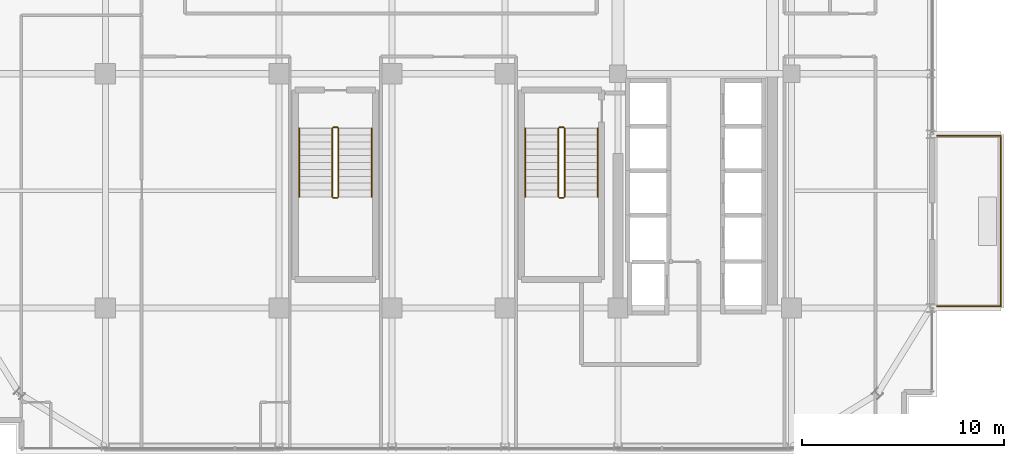
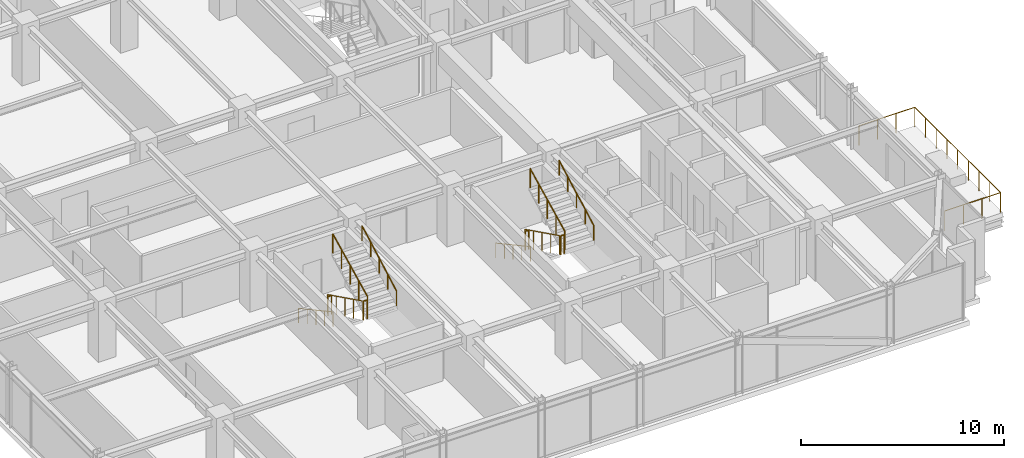
# One storey, part 34 of 36: 13 railings.
"""IFC4 building model written with IfcOpenShell, lengths in metres."""

from ifc_helpers import new_model, si_unit, direction, frame, origin, origin_2d, place, context, subcontext, project, spatial, circle, extrude, material, type_object, element, save


model = new_model("IFC4")

# Units and contexts
model_context = context("Model", 3, precision=1e-05, world=origin(), true_north=direction((0.0, 1.0)))
body_context = subcontext(model_context, "Body", "Model", "MODEL_VIEW")
ifc_project = project(units=[si_unit("LENGTHUNIT", "METRE"), si_unit("AREAUNIT", "SQUARE_METRE"), si_unit("VOLUMEUNIT", "CUBIC_METRE"), si_unit("PLANEANGLEUNIT", "RADIAN"), si_unit("MASSUNIT", "GRAM", prefix="KILO")], contexts=[model_context])

# Site, building, storey
site_placement = place(None, origin())
site = spatial("IfcSite", under=ifc_project, at=site_placement, CompositionType="ELEMENT")
building_placement = place(site_placement, origin())
building = spatial("IfcBuilding", under=site, at=building_placement, Name="Nahalor Promenade Grand Hotel", CompositionType="ELEMENT")
storey_placement = place(building_placement, frame((0.0, 0.0, 234.5)))
storey = spatial("IfcBuildingStorey", under=building, at=storey_placement, Name="L60", CompositionType="ELEMENT", Elevation=234.5)

# Railings
ifc_material_1 = material(Name="Anodised Bronze Aluminium EN AW-6063 T6", Category="aluminium")
railing_type_1 = type_object("IfcRailingType", Name="Bronze Balcony Guardrail 1200 mm", PredefinedType="GUARDRAIL", material=ifc_material_1)
railing_1_placement = place(storey_placement, frame((24.199951171875, -16.919921875, 0.0)))
element("IfcRailing", 1, at=railing_1_placement, inside=storey, type_object=railing_type_1, Name="L60 Balcony Guardrail 2", PredefinedType="GUARDRAIL", context=body_context, shape_type="SweptSolid", body=[
    extrude(circle(Radius=0.024048, at=origin_2d()), frame((0.0, 0.0, 1.17578125), z_axis=(1.0, 0.0, 0.0), x_axis=(0.0, 1.0, 0.0)), (0.0, 0.0, 1.0), 3.168212890625),
    extrude(circle(Radius=0.024048, at=origin_2d()), frame((3.170166015625, 0.001953125, 1.17578125), z_axis=(0.0, 1.0, 0.0), x_axis=(-1.0, 0.0, 0.0)), (0.0, 0.0, 1.0), 8.43603515625),
    extrude(circle(Radius=0.024048, at=origin_2d()), frame((3.168212890625, 8.43994140625, 1.17578125), z_axis=(-1.0, 0.0, 0.0), x_axis=(0.0, -1.0, 0.0)), (0.0, 0.0, 1.0), 3.168212890625),
    extrude(circle(Radius=0.020996, at=origin_2d()), origin(), (0.0, 0.0, 1.0), 1.14990234375),
    extrude(circle(Radius=0.020996, at=origin_2d()), frame((1.056640625, 0.0, 0.0)), (0.0, 0.0, 1.0), 1.14990234375),
    extrude(circle(Radius=0.020996, at=origin_2d()), frame((2.113525390625, 0.0, 0.0)), (0.0, 0.0, 1.0), 1.14990234375),
    extrude(circle(Radius=0.020996, at=origin_2d()), frame((3.170166015625, 0.0, 0.0)), (0.0, 0.0, 1.0), 1.14990234375),
    extrude(circle(Radius=0.020996, at=origin_2d()), frame((3.170166015625, 1.054931640625, 0.0)), (0.0, 0.0, 1.0), 1.14990234375),
    extrude(circle(Radius=0.020996, at=origin_2d()), frame((3.170166015625, 2.10986328125, 0.0)), (0.0, 0.0, 1.0), 1.14990234375),
    extrude(circle(Radius=0.020996, at=origin_2d()), frame((3.170166015625, 3.1650390625, 0.0)), (0.0, 0.0, 1.0), 1.14990234375),
    extrude(circle(Radius=0.020996, at=origin_2d()), frame((3.170166015625, 4.219970703125, 0.0)), (0.0, 0.0, 1.0), 1.14990234375),
    extrude(circle(Radius=0.020996, at=origin_2d()), frame((3.170166015625, 5.27490234375, 0.0)), (0.0, 0.0, 1.0), 1.14990234375),
    extrude(circle(Radius=0.020996, at=origin_2d()), frame((3.170166015625, 6.330078125, 0.0)), (0.0, 0.0, 1.0), 1.14990234375),
    extrude(circle(Radius=0.020996, at=origin_2d()), frame((3.170166015625, 7.385009765625, 0.0)), (0.0, 0.0, 1.0), 1.14990234375),
    extrude(circle(Radius=0.020996, at=origin_2d()), frame((3.170166015625, 8.43994140625, 0.0)), (0.0, 0.0, 1.0), 1.14990234375),
    extrude(circle(Radius=0.020996, at=origin_2d()), frame((2.113525390625, 8.43994140625, 0.0)), (0.0, 0.0, 1.0), 1.14990234375),
    extrude(circle(Radius=0.020996, at=origin_2d()), frame((1.056640625, 8.43994140625, 0.0)), (0.0, 0.0, 1.0), 1.14990234375),
    extrude(circle(Radius=0.020996, at=origin_2d()), frame((0.0, 8.43994140625, 0.0)), (0.0, 0.0, 1.0), 1.14990234375),
])
ifc_material_2 = material(Name="Steel S355JR", Category="steel")
railing_type_2 = type_object("IfcRailingType", Name="Steel Stair Guardrail 1150 mm", PredefinedType="GUARDRAIL", material=ifc_material_2)
railing_2_placement = place(storey_placement, frame((5.449951171875, -8.10009765625, 0.168212890625)))
element("IfcRailing", 2, at=railing_2_placement, inside=storey, type_object=railing_type_2, Name="L60 ST2 stair guard 1", PredefinedType="GUARDRAIL", context=body_context, shape_type="SweptSolid", body=[
    extrude(circle(Radius=0.024048, at=origin_2d()), frame((0.0, 0.0, 1.1259765625), z_axis=(0.0, -0.896324230515, 0.443399226197), x_axis=(1.0, 0.0, 0.0)), (0.0, 0.0, 1.0), 3.793212890625),
    extrude(circle(Radius=0.020996, at=origin_2d()), origin(), (0.0, 0.0, 1.0), 1.099853515625),
    extrude(circle(Radius=0.020996, at=origin_2d()), frame((0.0, -0.85009765625, 0.42041015625)), (0.0, 0.0, 1.0), 1.099853515625),
    extrude(circle(Radius=0.020996, at=origin_2d()), frame((0.0, -1.699951171875, 0.8408203125)), (0.0, 0.0, 1.0), 1.099853515625),
    extrude(circle(Radius=0.020996, at=origin_2d()), frame((0.0, -2.5498046875, 1.261474609375)), (0.0, 0.0, 1.0), 1.099853515625),
    extrude(circle(Radius=0.020996, at=origin_2d()), frame((0.0, -3.39990234375, 1.681884765625)), (0.0, 0.0, 1.0), 1.099853515625),
])
railing_3_placement = place(storey_placement, frame((5.5, -11.550048828125, 1.85009765625)))
element("IfcRailing", 3, at=railing_3_placement, inside=storey, type_object=railing_type_2, Name="L60 ST2 stair guard 2", PredefinedType="GUARDRAIL", context=body_context, shape_type="SweptSolid", body=[
    extrude(circle(Radius=0.024048, at=origin_2d()), frame((0.0, 0.0, 1.1259765625), z_axis=(1.0, 0.0, 0.0), x_axis=(0.0, 1.0, 0.0)), (0.0, 0.0, 1.0), 0.199951171875),
    extrude(circle(Radius=0.020996, at=origin_2d()), origin(), (0.0, 0.0, 1.0), 1.099853515625),
    extrude(circle(Radius=0.020996, at=origin_2d()), frame((0.199951171875, 0.0, 0.0)), (0.0, 0.0, 1.0), 1.099853515625),
])
railing_4_placement = place(storey_placement, frame((5.75, -11.5, 2.01806640625)))
element("IfcRailing", 4, at=railing_4_placement, inside=storey, type_object=railing_type_2, Name="L60 ST2 stair guard 3", PredefinedType="GUARDRAIL", context=body_context, shape_type="SweptSolid", body=[
    extrude(circle(Radius=0.024048, at=origin_2d()), frame((0.0, 0.0, 1.1259765625), z_axis=(0.0, 0.896324230515, 0.443399226197), x_axis=(-1.0, 0.0, 0.0)), (0.0, 0.0, 1.0), 3.793212890625),
    extrude(circle(Radius=0.020996, at=origin_2d()), origin(), (0.0, 0.0, 1.0), 1.099853515625),
    extrude(circle(Radius=0.020996, at=origin_2d()), frame((0.0, 0.85009765625, 0.42041015625)), (0.0, 0.0, 1.0), 1.099853515625),
    extrude(circle(Radius=0.020996, at=origin_2d()), frame((0.0, 1.699951171875, 0.8408203125)), (0.0, 0.0, 1.0), 1.099853515625),
    extrude(circle(Radius=0.020996, at=origin_2d()), frame((0.0, 2.5498046875, 1.261474609375)), (0.0, 0.0, 1.0), 1.099853515625),
    extrude(circle(Radius=0.020996, at=origin_2d()), frame((0.0, 3.39990234375, 1.681884765625)), (0.0, 0.0, 1.0), 1.099853515625),
])
railing_5_placement = place(storey_placement, frame((5.5, -8.050048828125, 0.0)))
element("IfcRailing", 5, at=railing_5_placement, inside=storey, type_object=railing_type_2, Name="L60 ST2 stair guard 4", PredefinedType="GUARDRAIL", context=body_context, shape_type="SweptSolid", body=[
    extrude(circle(Radius=0.024048, at=origin_2d()), frame((0.0, 0.0, 1.1259765625), z_axis=(1.0, 0.0, 0.0), x_axis=(0.0, 1.0, 0.0)), (0.0, 0.0, 1.0), 0.199951171875),
    extrude(circle(Radius=0.020996, at=origin_2d()), origin(), (0.0, 0.0, 1.0), 1.099853515625),
    extrude(circle(Radius=0.020996, at=origin_2d()), frame((0.199951171875, 0.0, 0.0)), (0.0, 0.0, 1.0), 1.099853515625),
])
railing_6_placement = place(storey_placement, frame((-5.75, -8.10009765625, 0.168212890625)))
element("IfcRailing", 6, at=railing_6_placement, inside=storey, type_object=railing_type_2, Name="L60 ST3 stair guard 1", PredefinedType="GUARDRAIL", context=body_context, shape_type="SweptSolid", body=[
    extrude(circle(Radius=0.024048, at=origin_2d()), frame((0.0, 0.0, 1.1259765625), z_axis=(0.0, -0.896324230515, 0.443399226197), x_axis=(1.0, 0.0, 0.0)), (0.0, 0.0, 1.0), 3.793212890625),
    extrude(circle(Radius=0.020996, at=origin_2d()), origin(), (0.0, 0.0, 1.0), 1.099853515625),
    extrude(circle(Radius=0.020996, at=origin_2d()), frame((0.0, -0.85009765625, 0.42041015625)), (0.0, 0.0, 1.0), 1.099853515625),
    extrude(circle(Radius=0.020996, at=origin_2d()), frame((0.0, -1.699951171875, 0.8408203125)), (0.0, 0.0, 1.0), 1.099853515625),
    extrude(circle(Radius=0.020996, at=origin_2d()), frame((0.0, -2.5498046875, 1.261474609375)), (0.0, 0.0, 1.0), 1.099853515625),
    extrude(circle(Radius=0.020996, at=origin_2d()), frame((0.0, -3.39990234375, 1.681884765625)), (0.0, 0.0, 1.0), 1.099853515625),
])
railing_7_placement = place(storey_placement, frame((-5.699951171875, -11.550048828125, 1.85009765625)))
element("IfcRailing", 7, at=railing_7_placement, inside=storey, type_object=railing_type_2, Name="L60 ST3 stair guard 2", PredefinedType="GUARDRAIL", context=body_context, shape_type="SweptSolid", body=[
    extrude(circle(Radius=0.024048, at=origin_2d()), frame((0.0, 0.0, 1.1259765625), z_axis=(1.0, 0.0, 0.0), x_axis=(0.0, 1.0, 0.0)), (0.0, 0.0, 1.0), 0.199951171875),
    extrude(circle(Radius=0.020996, at=origin_2d()), origin(), (0.0, 0.0, 1.0), 1.099853515625),
    extrude(circle(Radius=0.020996, at=origin_2d()), frame((0.199951171875, 0.0, 0.0)), (0.0, 0.0, 1.0), 1.099853515625),
])
railing_8_placement = place(storey_placement, frame((-5.449951171875, -11.5, 2.01806640625)))
element("IfcRailing", 8, at=railing_8_placement, inside=storey, type_object=railing_type_2, Name="L60 ST3 stair guard 3", PredefinedType="GUARDRAIL", context=body_context, shape_type="SweptSolid", body=[
    extrude(circle(Radius=0.024048, at=origin_2d()), frame((0.0, 0.0, 1.1259765625), z_axis=(0.0, 0.896324230515, 0.443399226197), x_axis=(-1.0, 0.0, 0.0)), (0.0, 0.0, 1.0), 3.793212890625),
    extrude(circle(Radius=0.020996, at=origin_2d()), origin(), (0.0, 0.0, 1.0), 1.099853515625),
    extrude(circle(Radius=0.020996, at=origin_2d()), frame((0.0, 0.85009765625, 0.42041015625)), (0.0, 0.0, 1.0), 1.099853515625),
    extrude(circle(Radius=0.020996, at=origin_2d()), frame((0.0, 1.699951171875, 0.8408203125)), (0.0, 0.0, 1.0), 1.099853515625),
    extrude(circle(Radius=0.020996, at=origin_2d()), frame((0.0, 2.5498046875, 1.261474609375)), (0.0, 0.0, 1.0), 1.099853515625),
    extrude(circle(Radius=0.020996, at=origin_2d()), frame((0.0, 3.39990234375, 1.681884765625)), (0.0, 0.0, 1.0), 1.099853515625),
])
railing_9_placement = place(storey_placement, frame((-5.699951171875, -8.050048828125, 0.0)))
element("IfcRailing", 9, at=railing_9_placement, inside=storey, type_object=railing_type_2, Name="L60 ST3 stair guard 4", PredefinedType="GUARDRAIL", context=body_context, shape_type="SweptSolid", body=[
    extrude(circle(Radius=0.024048, at=origin_2d()), frame((0.0, 0.0, 1.1259765625), z_axis=(1.0, 0.0, 0.0), x_axis=(0.0, 1.0, 0.0)), (0.0, 0.0, 1.0), 0.199951171875),
    extrude(circle(Radius=0.020996, at=origin_2d()), origin(), (0.0, 0.0, 1.0), 1.099853515625),
    extrude(circle(Radius=0.020996, at=origin_2d()), frame((0.199951171875, 0.0, 0.0)), (0.0, 0.0, 1.0), 1.099853515625),
])
railing_type_3 = type_object("IfcRailingType", Name="Steel Stair Handrail 900 mm", PredefinedType="HANDRAIL", material=ifc_material_2)
railing_10_placement = place(storey_placement, frame((3.800048828125, -8.10009765625, 0.168212890625)))
element("IfcRailing", 10, at=railing_10_placement, inside=storey, type_object=railing_type_3, Name="L60 ST2 stair handrail 1", PredefinedType="HANDRAIL", context=body_context, shape_type="SweptSolid", body=[
    extrude(circle(Radius=0.024048, at=origin_2d()), frame((0.0, 0.0, 0.8759765625), z_axis=(0.0, -0.878398892953, 0.47792822145), x_axis=(1.0, 0.0, 0.0)), (0.0, 0.0, 1.0), 3.87060546875),
    extrude(circle(Radius=0.020996, at=origin_2d()), origin(), (0.0, 0.0, 1.0), 0.849853515625),
    extrude(circle(Radius=0.020996, at=origin_2d()), frame((0.0, -0.85009765625, 0.46240234375)), (0.0, 0.0, 1.0), 0.849853515625),
    extrude(circle(Radius=0.020996, at=origin_2d()), frame((0.0, -1.699951171875, 0.9248046875)), (0.0, 0.0, 1.0), 0.849853515625),
    extrude(circle(Radius=0.020996, at=origin_2d()), frame((0.0, -2.5498046875, 1.387451171875)), (0.0, 0.0, 1.0), 0.849853515625),
    extrude(circle(Radius=0.020996, at=origin_2d()), frame((0.0, -3.39990234375, 1.849853515625)), (0.0, 0.0, 1.0), 0.849853515625),
])
railing_11_placement = place(storey_placement, frame((7.39990234375, -11.5, 2.01806640625)))
element("IfcRailing", 11, at=railing_11_placement, inside=storey, type_object=railing_type_3, Name="L60 ST2 stair handrail 2", PredefinedType="HANDRAIL", context=body_context, shape_type="SweptSolid", body=[
    extrude(circle(Radius=0.024048, at=origin_2d()), frame((0.0, 0.0, 0.8759765625), z_axis=(0.0, 0.87837241229, 0.47797688786), x_axis=(-1.0, 0.0, 0.0)), (0.0, 0.0, 1.0), 3.87060546875),
    extrude(circle(Radius=0.020996, at=origin_2d()), origin(), (0.0, 0.0, 1.0), 0.849853515625),
    extrude(circle(Radius=0.020996, at=origin_2d()), frame((0.0, 0.85009765625, 0.46240234375)), (0.0, 0.0, 1.0), 0.849853515625),
    extrude(circle(Radius=0.020996, at=origin_2d()), frame((0.0, 1.699951171875, 0.925048828125)), (0.0, 0.0, 1.0), 0.849853515625),
    extrude(circle(Radius=0.020996, at=origin_2d()), frame((0.0, 2.5498046875, 1.3876953125)), (0.0, 0.0, 1.0), 0.849853515625),
    extrude(circle(Radius=0.020996, at=origin_2d()), frame((0.0, 3.39990234375, 1.85009765625)), (0.0, 0.0, 1.0), 0.849853515625),
])
railing_12_placement = place(storey_placement, frame((-7.39990234375, -8.10009765625, 0.168212890625)))
element("IfcRailing", 12, at=railing_12_placement, inside=storey, type_object=railing_type_3, Name="L60 ST3 stair handrail 1", PredefinedType="HANDRAIL", context=body_context, shape_type="SweptSolid", body=[
    extrude(circle(Radius=0.024048, at=origin_2d()), frame((0.0, 0.0, 0.8759765625), z_axis=(0.0, -0.878398892953, 0.47792822145), x_axis=(1.0, 0.0, 0.0)), (0.0, 0.0, 1.0), 3.87060546875),
    extrude(circle(Radius=0.020996, at=origin_2d()), origin(), (0.0, 0.0, 1.0), 0.849853515625),
    extrude(circle(Radius=0.020996, at=origin_2d()), frame((0.0, -0.85009765625, 0.46240234375)), (0.0, 0.0, 1.0), 0.849853515625),
    extrude(circle(Radius=0.020996, at=origin_2d()), frame((0.0, -1.699951171875, 0.9248046875)), (0.0, 0.0, 1.0), 0.849853515625),
    extrude(circle(Radius=0.020996, at=origin_2d()), frame((0.0, -2.5498046875, 1.387451171875)), (0.0, 0.0, 1.0), 0.849853515625),
    extrude(circle(Radius=0.020996, at=origin_2d()), frame((0.0, -3.39990234375, 1.849853515625)), (0.0, 0.0, 1.0), 0.849853515625),
])
railing_13_placement = place(storey_placement, frame((-3.800048828125, -11.5, 2.01806640625)))
element("IfcRailing", 13, at=railing_13_placement, inside=storey, type_object=railing_type_3, Name="L60 ST3 stair handrail 2", PredefinedType="HANDRAIL", context=body_context, shape_type="SweptSolid", body=[
    extrude(circle(Radius=0.024048, at=origin_2d()), frame((0.0, 0.0, 0.8759765625), z_axis=(0.0, 0.87837241229, 0.47797688786), x_axis=(-1.0, 0.0, 0.0)), (0.0, 0.0, 1.0), 3.87060546875),
    extrude(circle(Radius=0.020996, at=origin_2d()), origin(), (0.0, 0.0, 1.0), 0.849853515625),
    extrude(circle(Radius=0.020996, at=origin_2d()), frame((0.0, 0.85009765625, 0.46240234375)), (0.0, 0.0, 1.0), 0.849853515625),
    extrude(circle(Radius=0.020996, at=origin_2d()), frame((0.0, 1.699951171875, 0.925048828125)), (0.0, 0.0, 1.0), 0.849853515625),
    extrude(circle(Radius=0.020996, at=origin_2d()), frame((0.0, 2.5498046875, 1.3876953125)), (0.0, 0.0, 1.0), 0.849853515625),
    extrude(circle(Radius=0.020996, at=origin_2d()), frame((0.0, 3.39990234375, 1.85009765625)), (0.0, 0.0, 1.0), 0.849853515625),
])

save(model, "model.ifc")
